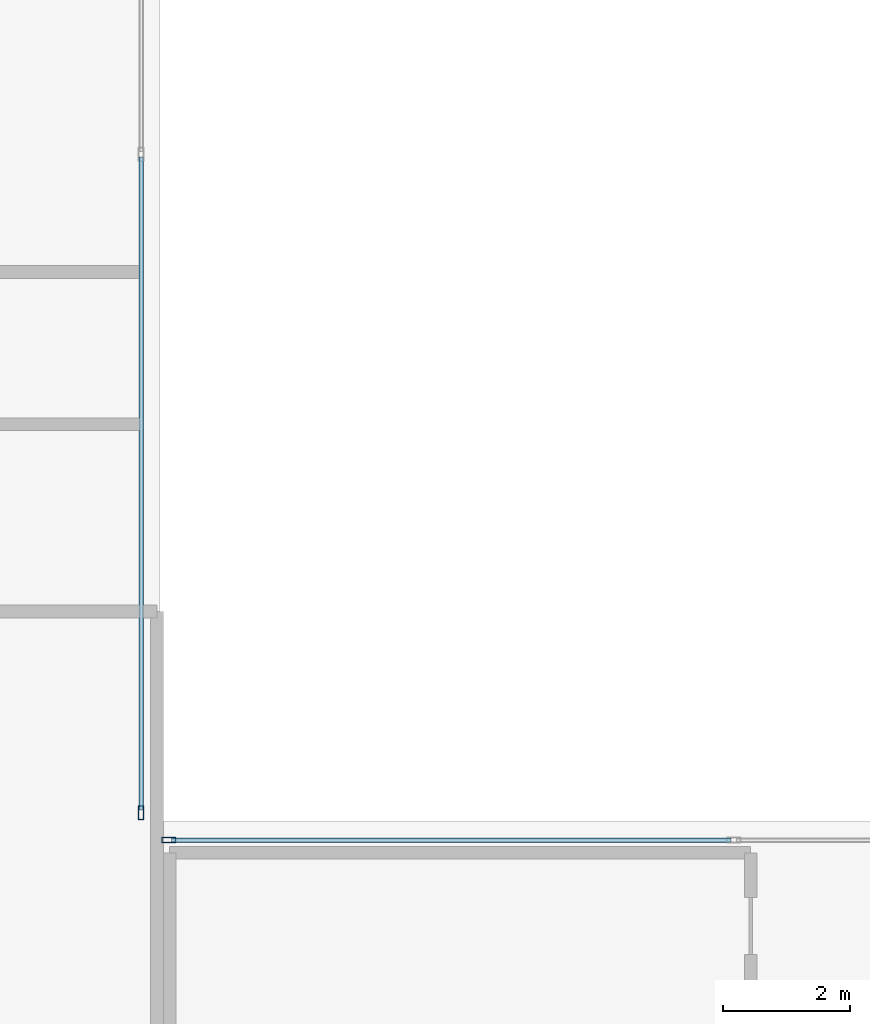
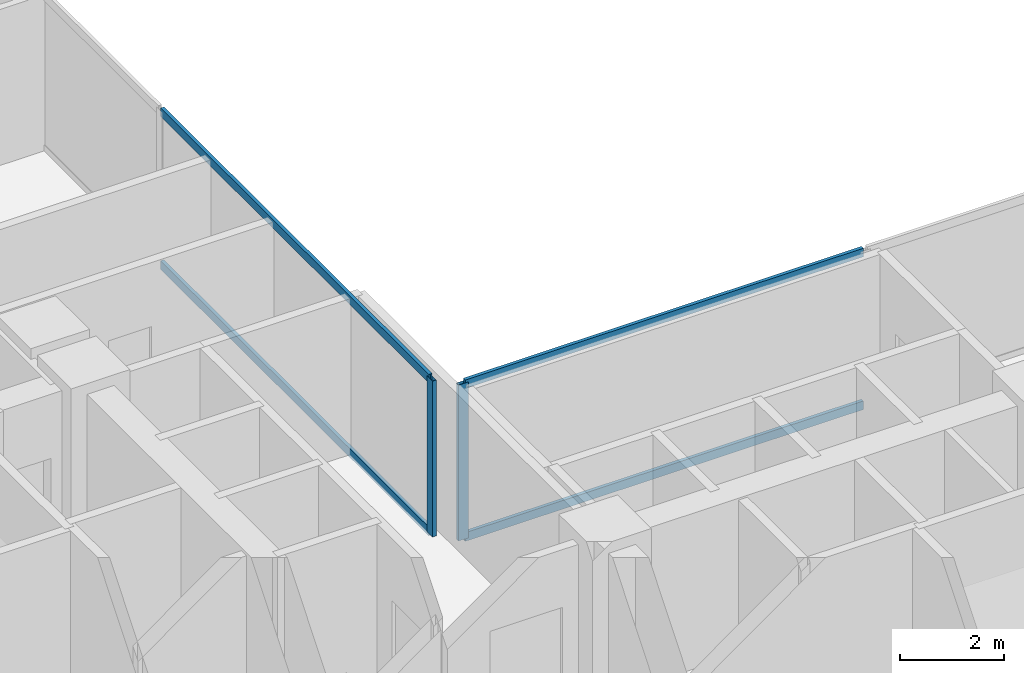
# One storey, part 7 of 27: 6 members, 2 elements without a shape of their own.
"""IFC4 building model written with IfcOpenShell, lengths in metres."""

from ifc_helpers import new_model, si_unit, direction, frame, origin, origin_2d, place, context, subcontext, project, spatial, hollow_rectangle, extrude, material, layer, layer_set, material_profile, profile_set, type_object, element, aggregate, save


model = new_model("IFC4")

# Units and contexts
model_context = context("Model", 3, precision=1e-05, world=origin(), true_north=direction((0.0, 1.0)))
body_context = subcontext(model_context, "Body", "Model", "MODEL_VIEW")
ifc_project = project(units=[si_unit("LENGTHUNIT", "METRE"), si_unit("AREAUNIT", "SQUARE_METRE"), si_unit("VOLUMEUNIT", "CUBIC_METRE"), si_unit("PLANEANGLEUNIT", "RADIAN"), si_unit("MASSUNIT", "GRAM", prefix="KILO"), si_unit("THERMODYNAMICTEMPERATUREUNIT", "KELVIN"), si_unit("POWERUNIT", "WATT")], contexts=[model_context])

# Site, building, storey
site_placement = place(None, origin())
site = spatial("IfcSite", under=ifc_project, at=site_placement, CompositionType="ELEMENT")
building_placement = place(site_placement, origin())
building = spatial("IfcBuilding", under=site, at=building_placement, Name="Svarakhadi Broadcast Tower", CompositionType="ELEMENT")
storey_placement = place(building_placement, frame((0.0, 0.0, 59.699951171875)))
storey = spatial("IfcBuildingStorey", under=building, at=storey_placement, Name="L13", CompositionType="ELEMENT", Elevation=59.699951171875)

# Curtain wall, member
ifc_material = material(Name="Anodised Bronze Aluminium AA 6063-T6", Category="aluminium")
ifc_layer = layer(ifc_material, 0.219970703125)
ifc_layer_set = layer_set([ifc_layer], Name="Anodised Bronze Aluminium AA 6063-T6")
curtain_wall_type = type_object("IfcCurtainWallType", Name="CW_Sys_02", PredefinedType="NOTDEFINED", material=ifc_layer_set)
curtain_wall_1_placement = place(storey_placement, origin())
curtain_wall_1 = element("IfcCurtainWall", 1, at=curtain_wall_1_placement, inside=storey, type_object=curtain_wall_type, Name="L13 Unitised Facade Curtain Wall 09", PredefinedType="NOTDEFINED")
ifc_material_profile_1 = material_profile(ifc_material, hollow_rectangle(XDim=0.0849609375, YDim=0.219970703125, WallThickness=0.006103515625, at=origin_2d()), Name="ALU MULLION 220x85x6")
ifc_profile_set_1 = profile_set([ifc_material_profile_1], Name="Anodised Bronze Aluminium AA 6063-T6")
member_type_1 = type_object("IfcMemberType", Name="CW_Sys_02_Mul", PredefinedType="MULLION", material=ifc_profile_set_1)
member_1_placement = place(storey_placement, frame((23.699951171875, 24.132568359375, 0.0), z_axis=(0.0, 0.0, 1.0), x_axis=(1.0, 0.0, 0.0)))
member_1 = element("IfcMember", 2, at=member_1_placement, type_object=member_type_1, Name="CW-02 mullion 3", PredefinedType="MULLION", context=body_context, shape_type="SweptSolid", body=[
    extrude(hollow_rectangle(XDim=0.0849609375, YDim=0.219970703125, WallThickness=0.006103515625, at=origin_2d()), origin(), (0.0, 0.0, 1.0), 3.650146484375),
])

curtain_wall_2_placement = place(storey_placement, origin())
curtain_wall_2 = element("IfcCurtainWall", 3, at=curtain_wall_2_placement, inside=storey, type_object=curtain_wall_type, Name="L13 Unitised Facade Curtain Wall 10", PredefinedType="NOTDEFINED")
member_2_placement = place(storey_placement, frame((24.132568359375, 23.699951171875, 0.0), z_axis=(0.0, 0.0, 1.0), x_axis=(0.0, 1.0, 0.0)))
member_2 = element("IfcMember", 4, at=member_2_placement, type_object=member_type_1, Name="CW-02 mullion 1", PredefinedType="MULLION", context=body_context, shape_type="SweptSolid", body=[
    extrude(hollow_rectangle(XDim=0.0849609375, YDim=0.219970703125, WallThickness=0.006103515625, at=origin_2d()), origin(), (0.0, 0.0, 1.0), 3.650146484375),
])

# Member
ifc_material_profile_2 = material_profile(ifc_material, hollow_rectangle(XDim=0.074951171875, YDim=0.199951171875, WallThickness=0.0048828125, at=origin_2d()), Name="ALU TRANSOM 200x75x5")
ifc_profile_set_2 = profile_set([ifc_material_profile_2], Name="Anodised Bronze Aluminium AA 6063-T6")
member_type_2 = type_object("IfcMemberType", Name="CW_Sys_02_Trn", PredefinedType="USERDEFINED", material=ifc_profile_set_2)
member_3_placement = place(storey_placement, frame((23.699951171875, 34.45751953125, 0.03759765625), z_axis=(0.0, -1.0, 0.0), x_axis=(1.0, 0.0, 0.0)))
member_3 = element("IfcMember", 5, at=member_3_placement, type_object=member_type_2, Name="CW-02 transom 2.1", ObjectType="TRANSOM", PredefinedType="USERDEFINED", context=body_context, shape_type="SweptSolid", body=[
    extrude(hollow_rectangle(XDim=0.074951171875, YDim=0.199951171875, WallThickness=0.0048828125, at=origin_2d()), origin(), (0.0, 0.0, 1.0), 10.282470703125),
])

member_4_placement = place(storey_placement, frame((23.699951171875, 34.45751953125, 3.612548828125), z_axis=(0.0, -1.0, 0.0), x_axis=(1.0, 0.0, 0.0)))
member_4 = element("IfcMember", 6, at=member_4_placement, type_object=member_type_2, Name="CW-02 transom 2.2", ObjectType="TRANSOM", PredefinedType="USERDEFINED", context=body_context, shape_type="SweptSolid", body=[
    extrude(hollow_rectangle(XDim=0.074951171875, YDim=0.199951171875, WallThickness=0.0048828125, at=origin_2d()), origin(), (0.0, 0.0, 1.0), 10.282470703125),
])

aggregate(curtain_wall_1, [member_1, member_3, member_4])

member_5_placement = place(storey_placement, frame((24.175048828125, 23.699951171875, 0.03759765625), z_axis=(1.0, 0.0, 0.0), x_axis=(0.0, 1.0, 0.0)))
member_5 = element("IfcMember", 7, at=member_5_placement, type_object=member_type_2, Name="CW-02 transom 1.1", ObjectType="TRANSOM", PredefinedType="USERDEFINED", context=body_context, shape_type="SweptSolid", body=[
    extrude(hollow_rectangle(XDim=0.074951171875, YDim=0.199951171875, WallThickness=0.0048828125, at=origin_2d()), origin(), (0.0, 0.0, 1.0), 8.8125),
])

member_6_placement = place(storey_placement, frame((24.175048828125, 23.699951171875, 3.612548828125), z_axis=(1.0, 0.0, 0.0), x_axis=(0.0, 1.0, 0.0)))
member_6 = element("IfcMember", 8, at=member_6_placement, type_object=member_type_2, Name="CW-02 transom 1.2", ObjectType="TRANSOM", PredefinedType="USERDEFINED", context=body_context, shape_type="SweptSolid", body=[
    extrude(hollow_rectangle(XDim=0.074951171875, YDim=0.199951171875, WallThickness=0.0048828125, at=origin_2d()), origin(), (0.0, 0.0, 1.0), 8.8125),
])

aggregate(curtain_wall_2, [member_2, member_5, member_6])

save(model, "model.ifc")
